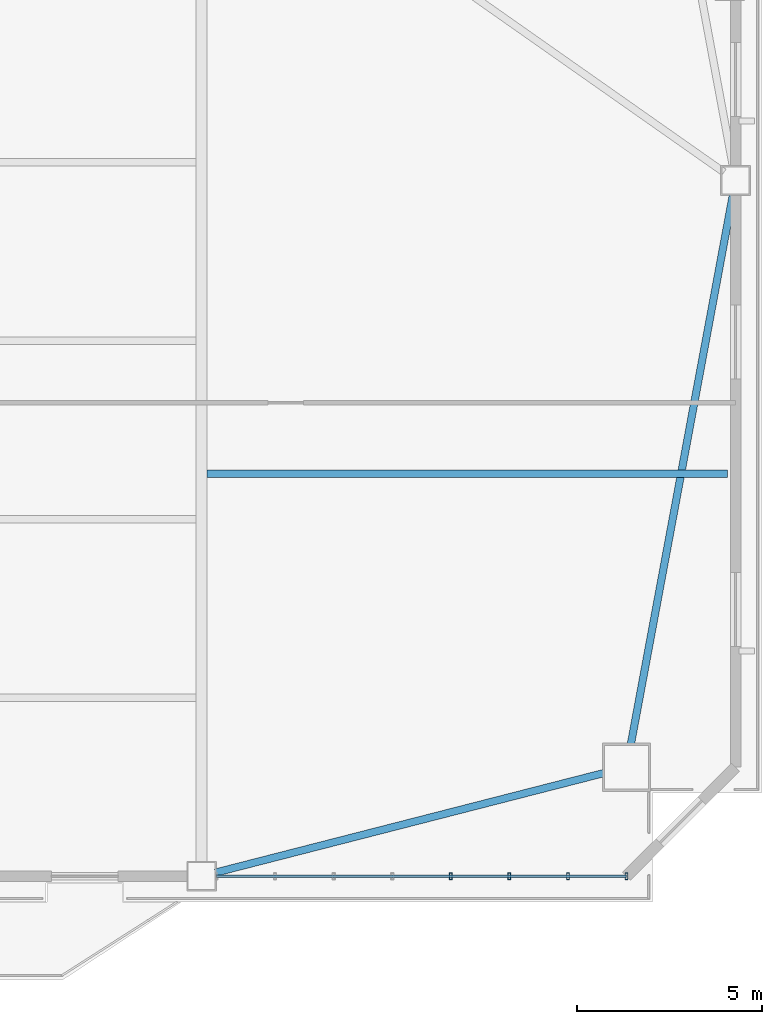
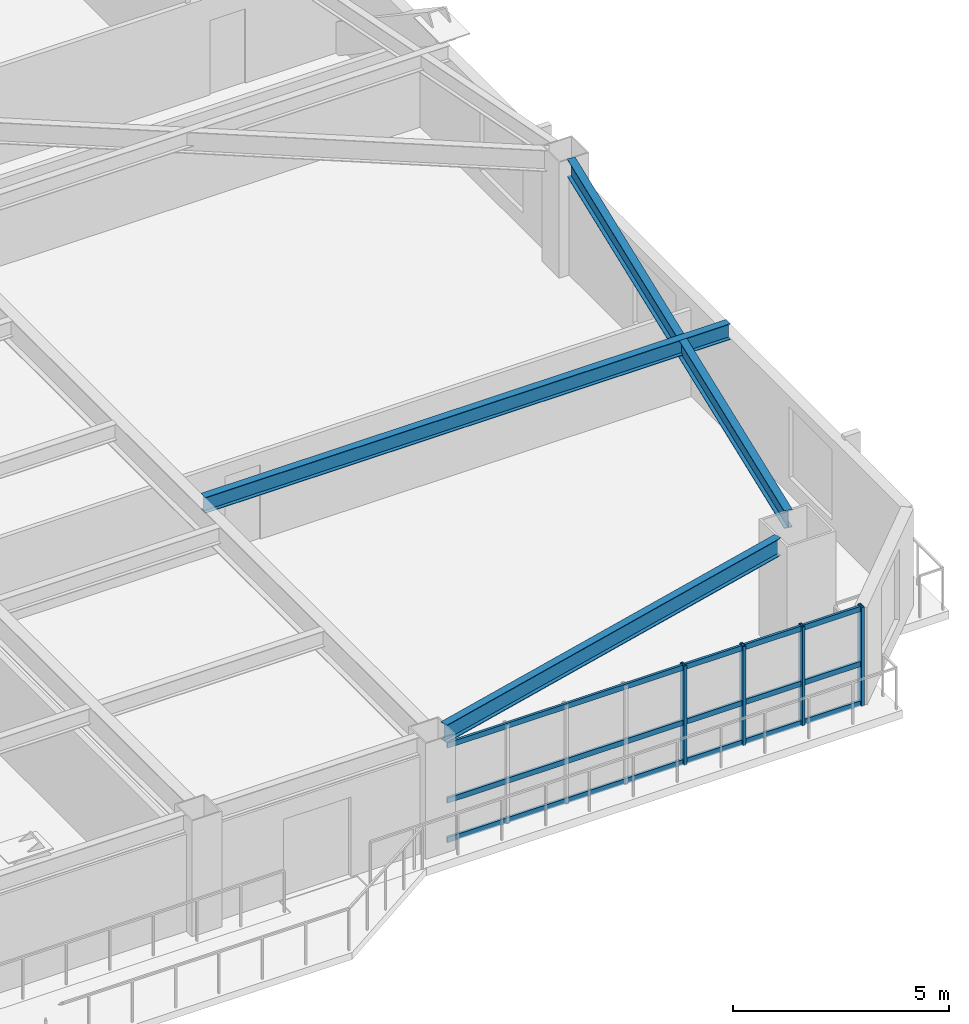
# One storey, part 5 of 15: 7 members, 3 beams, 1 element without a shape of its own.
"""IFC4 building model written with IfcOpenShell, lengths in metres."""

from ifc_helpers import new_model, si_unit, direction, frame, origin, origin_2d, place, context, subcontext, project, spatial, hollow_rectangle, i_section, extrude, source, transform, mapped, material, layer, layer_set, material_profile, profile_set, type_object, element, aggregate, save


model = new_model("IFC4")

# Units and contexts
model_context = context("Model", 3, precision=1e-05, world=origin(), true_north=direction((0.0, 1.0)))
body_context = subcontext(model_context, "Body", "Model", "MODEL_VIEW")
ifc_project = project(units=[si_unit("LENGTHUNIT", "METRE"), si_unit("AREAUNIT", "SQUARE_METRE"), si_unit("VOLUMEUNIT", "CUBIC_METRE"), si_unit("PLANEANGLEUNIT", "RADIAN"), si_unit("MASSUNIT", "GRAM", prefix="KILO")], contexts=[model_context])

# Site, building, storey
site_placement = place(None, origin())
site = spatial("IfcSite", under=ifc_project, at=site_placement, CompositionType="ELEMENT")
building_placement = place(site_placement, origin())
building = spatial("IfcBuilding", under=site, at=building_placement, Name="Giltprow Tower", CompositionType="ELEMENT")
storey_placement = place(building_placement, frame((0.0, 0.0, 152.699951171875)))
storey = spatial("IfcBuildingStorey", under=building, at=storey_placement, Name="L37", CompositionType="ELEMENT", Elevation=152.699951171875)

# Beams
ifc_material_1 = material(Name="Structural steel Q355B", Category="steel")
ifc_material_profile_1 = material_profile(ifc_material_1, i_section(OverallWidth=0.199951171875, OverallDepth=0.5, WebThickness=0.010009765625, FlangeThickness=0.01611328125, at=origin_2d()), Name="HN 500x200x10x16")
ifc_profile_set_1 = profile_set([ifc_material_profile_1], Name="Structural steel Q355B")
beam_type_1 = type_object("IfcBeamType", Name="BM-SPAN-HN500", PredefinedType="SPANDREL", material=ifc_profile_set_1)
shared_shape_1 = source(origin(), body_context, "Body", "SweptSolid", [
    extrude(i_section(OverallWidth=0.199951171875, OverallDepth=0.5, WebThickness=0.010009765625, FlangeThickness=0.01611328125, at=origin_2d()), origin(), (0.0, 0.0, 1.0), 10.8125),
])
beam_1_placement = place(storey_placement, frame((50.923095703125, 8.66796875, 3.02001953125), z_axis=(0.968676122617, 0.248327544732, 0.0), x_axis=(-0.248327544732, 0.968676122617, 0.0)))
element("IfcBeam", 1, at=beam_1_placement, inside=storey, type_object=beam_type_1, Name="L37 Perimeter Spandrel Beam S4-MC_SE", PredefinedType="SPANDREL", context=body_context, shape_type="MappedRepresentation", body=[
    mapped(shared_shape_1, transform((0.0, 0.0, 0.0), x_axis=(1.0, 0.0, 0.0), y_axis=(0.0, 1.0, 0.0), z_axis=(0.0, 0.0, 1.0), scale=1.0)),
])
shared_shape_2 = source(origin(), body_context, "Body", "SweptSolid", [
    extrude(i_section(OverallWidth=0.199951171875, OverallDepth=0.5, WebThickness=0.010009765625, FlangeThickness=0.01611328125, at=origin_2d()), origin(), (0.0, 0.0, 1.0), 15.075439453125),
])
beam_2_placement = place(storey_placement, frame((62.1279296875, 12.135009765625, 3.02001953125), z_axis=(0.182625068297, 0.983182630252, 0.0), x_axis=(-0.983182630252, 0.182625068297, 0.0)))
element("IfcBeam", 2, at=beam_2_placement, inside=storey, type_object=beam_type_1, Name="L37 Perimeter Spandrel Beam MC_SE-E_MID", PredefinedType="SPANDREL", context=body_context, shape_type="MappedRepresentation", body=[
    mapped(shared_shape_2, transform((0.0, 0.0, 0.0), x_axis=(1.0, 0.0, 0.0), y_axis=(0.0, 1.0, 0.0), z_axis=(0.0, 0.0, 1.0), scale=1.0)),
])
ifc_material_profile_2 = material_profile(ifc_material_1, i_section(OverallWidth=0.199951171875, OverallDepth=0.449951171875, WebThickness=0.009033203125, FlangeThickness=0.013916015625, at=origin_2d()), Name="HN 450x200x9x14")
ifc_profile_set_2 = profile_set([ifc_material_profile_2], Name="Structural steel Q355B")
beam_type_2 = type_object("IfcBeamType", Name="BM-JOIST-HN450", PredefinedType="JOIST", material=ifc_profile_set_2)
shared_shape_3 = source(origin(), body_context, "Body", "SweptSolid", [
    extrude(i_section(OverallWidth=0.199951171875, OverallDepth=0.449951171875, WebThickness=0.009033203125, FlangeThickness=0.013916015625, at=origin_2d()), origin(), (0.0, 0.0, 1.0), 14.035888671875),
])
beam_3_placement = place(storey_placement, frame((50.695068359375, 19.423095703125, 3.045166015625), z_axis=(1.0, 0.0, 0.0), x_axis=(0.0, 1.0, 0.0)))
element("IfcBeam", 3, at=beam_3_placement, inside=storey, type_object=beam_type_2, Name="L37 East Wing Floor Joist 1", PredefinedType="JOIST", context=body_context, shape_type="MappedRepresentation", body=[
    mapped(shared_shape_3, transform((0.0, 0.0, 0.0), x_axis=(1.0, 0.0, 0.0), y_axis=(0.0, 1.0, 0.0), z_axis=(0.0, 0.0, 1.0), scale=1.0)),
])

# Curtain wall, members
ifc_material_2 = material(Name="Anodized bronze", Category="metal")
ifc_layer = layer(ifc_material_2, 0.179931640625, Name="Anodized bronze")
ifc_layer_set = layer_set([ifc_layer], Name="Anodized bronze")
curtain_wall_type = type_object("IfcCurtainWallType", Name="CW-HTL-BRONZE", PredefinedType="NOTDEFINED", material=ifc_layer_set)
curtain_wall_placement = place(storey_placement, origin())
curtain_wall = element("IfcCurtainWall", 4, at=curtain_wall_placement, inside=storey, type_object=curtain_wall_type, Name="L37 South Recessed Curtain Wall 6", PredefinedType="NOTDEFINED")
ifc_material_profile_3 = material_profile(ifc_material_2, hollow_rectangle(XDim=0.074951171875, YDim=0.179931640625, WallThickness=0.008056640625, at=origin_2d()), Name="RHS 180x75x8")
ifc_profile_set_3 = profile_set([ifc_material_profile_3], Name="Anodized bronze")
member_type_1 = type_object("IfcMemberType", Name="CW-MULLION-180x75", PredefinedType="MULLION", material=ifc_profile_set_3)
shared_shape_4 = source(origin(), body_context, "Body", "SweptSolid", [
    extrude(hollow_rectangle(XDim=0.074951171875, YDim=0.179931640625, WallThickness=0.008056640625, at=origin_2d()), origin(), (0.0, 0.0, 1.0), 2.80517578125),
])
member_1_placement = place(storey_placement, frame((57.27099609375, 8.572021484375, -0.02001953125), z_axis=(0.0, 0.0, 1.0), x_axis=(1.0, 0.0, 0.0)))
member_1 = element("IfcMember", 5, at=member_1_placement, type_object=member_type_1, Name="L37 South Recessed Curtain Wall 6 Mullion 5", PredefinedType="MULLION", context=body_context, shape_type="MappedRepresentation", body=[
    mapped(shared_shape_4, transform((0.0, 0.0, 0.0), x_axis=(1.0, 0.0, 0.0), y_axis=(0.0, 1.0, 0.0), z_axis=(0.0, 0.0, 1.0), scale=1.0)),
])
member_2_placement = place(storey_placement, frame((58.85107421875, 8.572021484375, -0.02001953125), z_axis=(0.0, 0.0, 1.0), x_axis=(1.0, 0.0, 0.0)))
member_2 = element("IfcMember", 6, at=member_2_placement, type_object=member_type_1, Name="L37 South Recessed Curtain Wall 6 Mullion 6", PredefinedType="MULLION", context=body_context, shape_type="MappedRepresentation", body=[
    mapped(shared_shape_4, transform((0.0, 0.0, 0.0), x_axis=(1.0, 0.0, 0.0), y_axis=(0.0, 1.0, 0.0), z_axis=(0.0, 0.0, 1.0), scale=1.0)),
])
member_3_placement = place(storey_placement, frame((60.431884765625, 8.572021484375, -0.02001953125), z_axis=(0.0, 0.0, 1.0), x_axis=(1.0, 0.0, 0.0)))
member_3 = element("IfcMember", 7, at=member_3_placement, type_object=member_type_1, Name="L37 South Recessed Curtain Wall 6 Mullion 7", PredefinedType="MULLION", context=body_context, shape_type="MappedRepresentation", body=[
    mapped(shared_shape_4, transform((0.0, 0.0, 0.0), x_axis=(1.0, 0.0, 0.0), y_axis=(0.0, 1.0, 0.0), z_axis=(0.0, 0.0, 1.0), scale=1.0)),
])
member_4_placement = place(storey_placement, frame((62.011962890625, 8.572021484375, -0.02001953125), z_axis=(0.0, 0.0, 1.0), x_axis=(1.0, 0.0, 0.0)))
member_4 = element("IfcMember", 8, at=member_4_placement, type_object=member_type_1, Name="L37 South Recessed Curtain Wall 6 Mullion 8", PredefinedType="MULLION", context=body_context, shape_type="MappedRepresentation", body=[
    mapped(shared_shape_4, transform((0.0, 0.0, 0.0), x_axis=(1.0, 0.0, 0.0), y_axis=(0.0, 1.0, 0.0), z_axis=(0.0, 0.0, 1.0), scale=1.0)),
])
ifc_material_profile_4 = material_profile(ifc_material_2, hollow_rectangle(XDim=0.06494140625, YDim=0.14990234375, WallThickness=0.006103515625, at=origin_2d()), Name="RHS 150x65x6")
ifc_profile_set_4 = profile_set([ifc_material_profile_4], Name="Anodized bronze")
member_type_2 = type_object("IfcMemberType", Name="CW-TRANSOM-150x65", PredefinedType="USERDEFINED", material=ifc_profile_set_4)
shared_shape_5 = source(origin(), body_context, "Body", "SweptSolid", [
    extrude(hollow_rectangle(XDim=0.06494140625, YDim=0.14990234375, WallThickness=0.006103515625, at=origin_2d()), origin(), (0.0, 0.0, 1.0), 11.06201171875),
])
member_5_placement = place(storey_placement, frame((50.949951171875, 8.572021484375, 0.0400390625), z_axis=(1.0, 0.0, 0.0), x_axis=(0.0, 1.0, 0.0)))
member_5 = element("IfcMember", 9, at=member_5_placement, type_object=member_type_2, Name="L37 South Recessed Curtain Wall 6 Transom 1", ObjectType="TRANSOM", PredefinedType="USERDEFINED", context=body_context, shape_type="MappedRepresentation", body=[
    mapped(shared_shape_5, transform((0.0, 0.0, 0.0), x_axis=(1.0, 0.0, 0.0), y_axis=(0.0, 1.0, 0.0), z_axis=(0.0, 0.0, 1.0), scale=1.0)),
])
member_6_placement = place(storey_placement, frame((50.949951171875, 8.572021484375, 1.155029296875), z_axis=(1.0, 0.0, 0.0), x_axis=(0.0, 1.0, 0.0)))
member_6 = element("IfcMember", 10, at=member_6_placement, type_object=member_type_2, Name="L37 South Recessed Curtain Wall 6 Transom 2", ObjectType="TRANSOM", PredefinedType="USERDEFINED", context=body_context, shape_type="MappedRepresentation", body=[
    mapped(shared_shape_5, transform((0.0, 0.0, 0.0), x_axis=(1.0, 0.0, 0.0), y_axis=(0.0, 1.0, 0.0), z_axis=(0.0, 0.0, 1.0), scale=1.0)),
])
member_7_placement = place(storey_placement, frame((50.949951171875, 8.572021484375, 2.7099609375), z_axis=(1.0, 0.0, 0.0), x_axis=(0.0, 1.0, 0.0)))
member_7 = element("IfcMember", 11, at=member_7_placement, type_object=member_type_2, Name="L37 South Recessed Curtain Wall 6 Transom 3", ObjectType="TRANSOM", PredefinedType="USERDEFINED", context=body_context, shape_type="MappedRepresentation", body=[
    mapped(shared_shape_5, transform((0.0, 0.0, 0.0), x_axis=(1.0, 0.0, 0.0), y_axis=(0.0, 1.0, 0.0), z_axis=(0.0, 0.0, 1.0), scale=1.0)),
])
aggregate(curtain_wall, [member_1, member_2, member_3, member_4, member_5, member_6, member_7])

save(model, "model.ifc")
